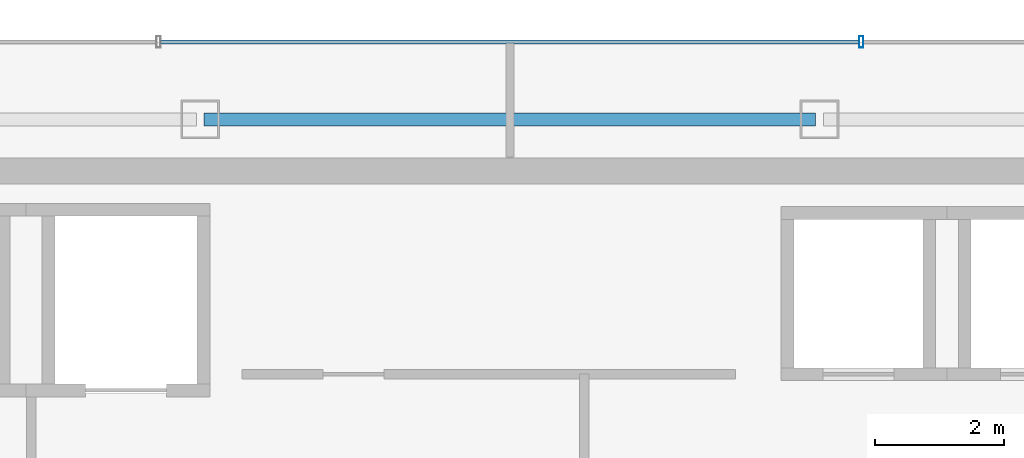
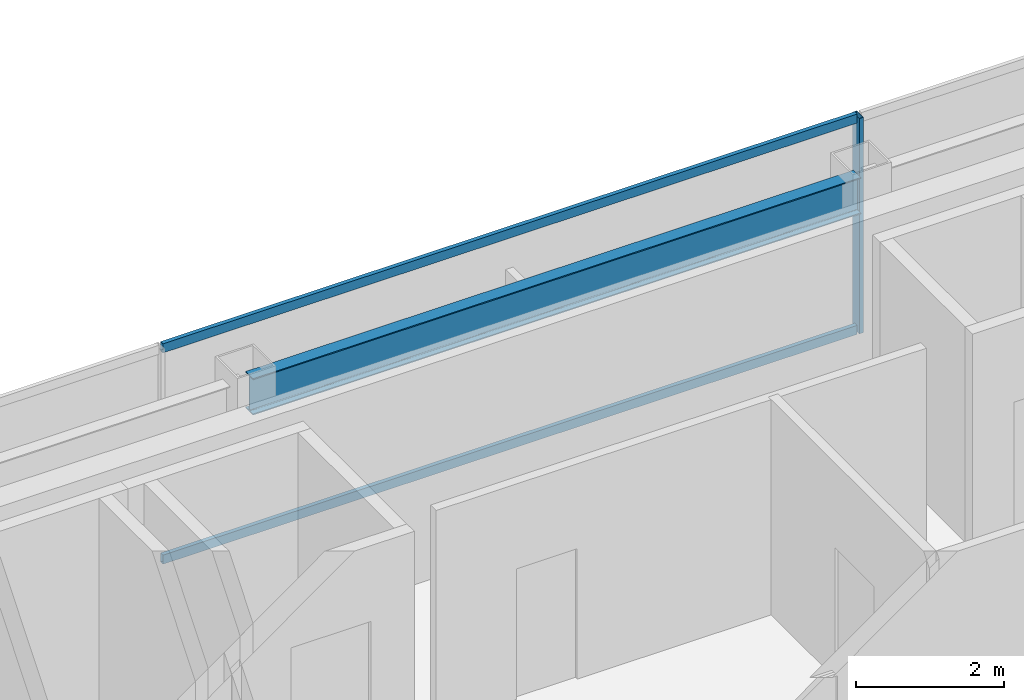
# One storey, part 8 of 20: 3 members, 1 beam, 1 element without a shape of its own.
"""IFC4 building model written with IfcOpenShell, lengths in metres."""

from ifc_helpers import new_model, si_unit, direction, frame, origin, origin_2d, place, context, subcontext, project, spatial, hollow_rectangle, i_section, extrude, material, material_profile, profile_set, type_object, element, aggregate, save


model = new_model("IFC4")

# Units and contexts
model_context = context("Model", 3, precision=1e-05, world=origin(), true_north=direction((0.0, 1.0)))
body_context = subcontext(model_context, "Body", "Model", "MODEL_VIEW")
ifc_project = project(units=[si_unit("LENGTHUNIT", "METRE"), si_unit("AREAUNIT", "SQUARE_METRE"), si_unit("VOLUMEUNIT", "CUBIC_METRE"), si_unit("PLANEANGLEUNIT", "RADIAN"), si_unit("MASSUNIT", "GRAM", prefix="KILO")], contexts=[model_context])

# Site, building, storey
site_placement = place(None, origin())
site = spatial("IfcSite", under=ifc_project, at=site_placement, CompositionType="ELEMENT")
building_placement = place(site_placement, origin())
building = spatial("IfcBuilding", under=site, at=building_placement, Name="Saevonmaru Cultural Tower", CompositionType="ELEMENT")
storey_placement = place(building_placement, frame((0.0, 0.0, 295.199951171875)))
storey = spatial("IfcBuildingStorey", under=building, at=storey_placement, Name="L70", CompositionType="ELEMENT", Elevation=295.199951171875)

# Beam
ifc_material_1 = material(Name="Steel SM355", Category="steel")
ifc_material_profile_1 = material_profile(ifc_material_1, i_section(OverallWidth=0.199951171875, OverallDepth=0.60009765625, WebThickness=0.010986328125, FlangeThickness=0.01708984375, FilletRadius=0.02197265625, at=origin_2d()), Name="H-600x200x11x17")
ifc_profile_set_1 = profile_set([ifc_material_profile_1], Name="Steel SM355")
beam_type = type_object("IfcBeamType", Name="BM-SP-H600", PredefinedType="SPANDREL", material=ifc_profile_set_1)
beam_placement = place(storey_placement, frame((25.260009765625, 54.800048828125, 3.25), z_axis=(1.0, 0.0, 0.0), x_axis=(0.0, 1.0, 0.0)))
element("IfcBeam", 1, at=beam_placement, inside=storey, type_object=beam_type, Name="L70 North Spine Girder 3", PredefinedType="SPANDREL", context=body_context, shape_type="SweptSolid", body=[
    extrude(i_section(OverallWidth=0.199951171875, OverallDepth=0.60009765625, WebThickness=0.010986328125, FlangeThickness=0.01708984375, FilletRadius=0.02197265625, at=origin_2d()), origin(), (0.0, 0.0, 1.0), 9.47998046875),
])

# Curtain wall, members
ifc_material_2 = material(Name="Satin Bronze Anodised Aluminium", Category="aluminium")
curtain_wall_type = type_object("IfcCurtainWallType", Name="CW-TYP-B", PredefinedType="NOTDEFINED", material=ifc_material_2)
curtain_wall_placement = place(storey_placement, origin())
curtain_wall = element("IfcCurtainWall", 2, at=curtain_wall_placement, inside=storey, type_object=curtain_wall_type, Name="L70 North Spine Unitised Curtain Wall E10B", PredefinedType="NOTDEFINED")
ifc_material_profile_2 = material_profile(ifc_material_2, hollow_rectangle(XDim=0.06494140625, YDim=0.179931640625, WallThickness=0.00390625, at=origin_2d()), Name="ALU-MULL-180x65x4")
ifc_profile_set_2 = profile_set([ifc_material_profile_2], Name="Satin Bronze Anodised Aluminium")
member_type_1 = type_object("IfcMemberType", Name="ML-CW-180x65", PredefinedType="MULLION", material=ifc_profile_set_2)
member_1_placement = place(storey_placement, frame((35.44677734375, 56.0, 0.0), z_axis=(0.0, 0.0, 1.0), x_axis=(-1.0, 0.0, 0.0)))
member_1 = element("IfcMember", 3, at=member_1_placement, type_object=member_type_1, Name="CW-TW-L70-E10B mullion 2", PredefinedType="MULLION", context=body_context, shape_type="SweptSolid", body=[
    extrude(hollow_rectangle(XDim=0.06494140625, YDim=0.179931640625, WallThickness=0.00390625, at=origin_2d()), origin(), (0.0, 0.0, 1.0), 3.550048828125),
])
ifc_material_profile_3 = material_profile(ifc_material_2, hollow_rectangle(XDim=0.06494140625, YDim=0.14990234375, WallThickness=0.00390625, at=origin_2d()), Name="ALU-TRAN-150x65x4")
ifc_profile_set_3 = profile_set([ifc_material_profile_3], Name="Satin Bronze Anodised Aluminium")
member_type_2 = type_object("IfcMemberType", Name="TR-CW-150x65", PredefinedType="USERDEFINED", material=ifc_profile_set_3)
member_2_placement = place(storey_placement, frame((35.4140625, 56.0, 0.032470703125), z_axis=(-1.0, 0.0, 0.0), x_axis=(0.0, -1.0, 0.0)))
member_2 = element("IfcMember", 4, at=member_2_placement, type_object=member_type_2, Name="CW-TW-L70-E10B transom 2.1", ObjectType="TRANSOM", PredefinedType="USERDEFINED", context=body_context, shape_type="SweptSolid", body=[
    extrude(hollow_rectangle(XDim=0.06494140625, YDim=0.14990234375, WallThickness=0.00390625, at=origin_2d()), origin(), (0.0, 0.0, 1.0), 10.828125),
])
member_3_placement = place(storey_placement, frame((35.4140625, 56.0, 3.517578125), z_axis=(-1.0, 0.0, 0.0), x_axis=(0.0, -1.0, 0.0)))
member_3 = element("IfcMember", 5, at=member_3_placement, type_object=member_type_2, Name="CW-TW-L70-E10B transom 2.2", ObjectType="TRANSOM", PredefinedType="USERDEFINED", context=body_context, shape_type="SweptSolid", body=[
    extrude(hollow_rectangle(XDim=0.06494140625, YDim=0.14990234375, WallThickness=0.00390625, at=origin_2d()), origin(), (0.0, 0.0, 1.0), 10.828125),
])
aggregate(curtain_wall, [member_1, member_2, member_3])

save(model, "model.ifc")
